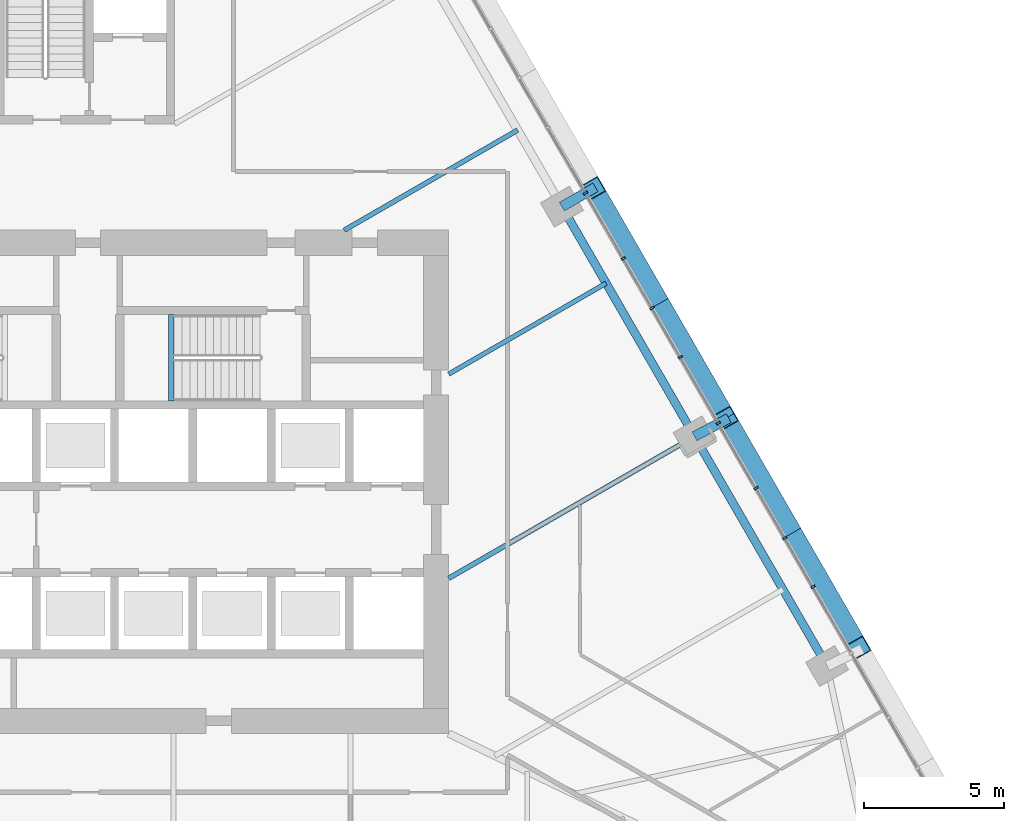
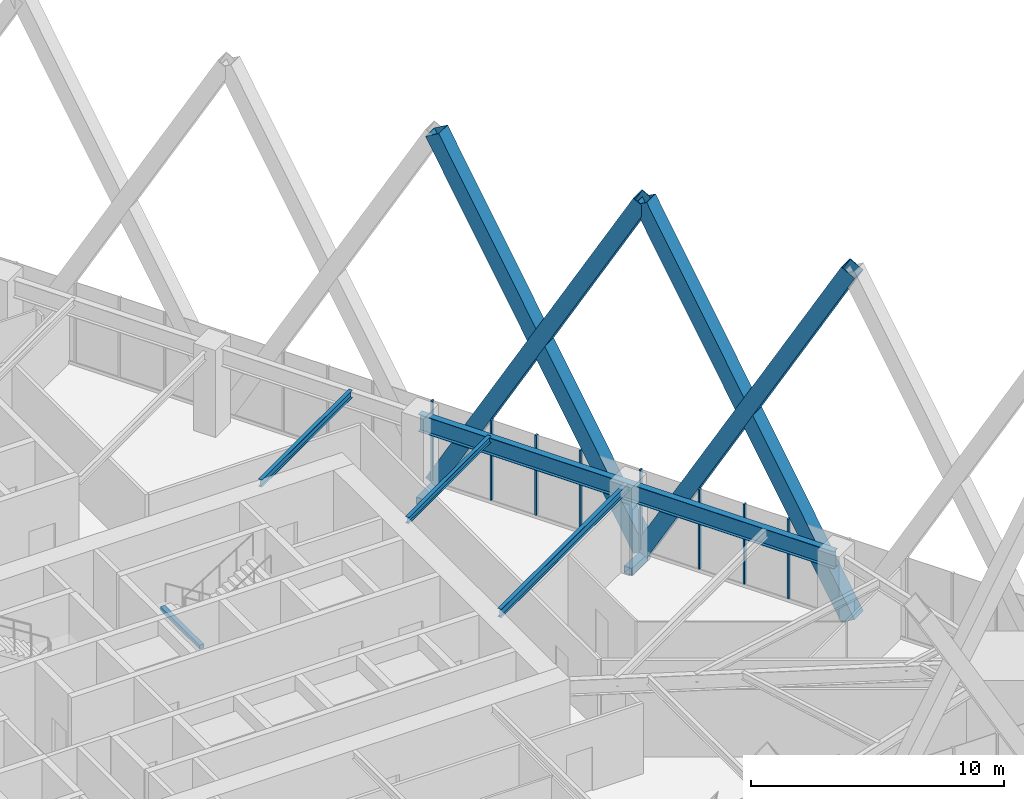
# One storey, part 8 of 21: 14 members, 5 beams, 1 element without a shape of its own.
"""IFC4 building model written with IfcOpenShell, lengths in metres."""

import ifcopenshell
import ifcopenshell.guid

model = None  # the IFC model being written
_history = None  # IfcOwnerHistory: only IFC2X3 demands one
_inside = {}  # id of a spatial element -> (the spatial element, [elements in it])
_under = {}  # id of a project, library or spatial element -> (it, [spatial elements below it])
_declared = {}  # id of a project -> (the project, [libraries it declares])
_typed = {}  # id of a type object -> (the type object, [elements of that type])
_made_of = {}  # id of a material, layer set ... -> (it, [elements and type objects made of it])


def new_model(schema):
    """Start an empty IFC model of exactly this schema.

    Asked for "IFC4X3", IfcOpenShell would pick the latest addendum, in which some entities
    have other attributes; the version numbers below select the first issue.
    IFC2X3 requires an IfcOwnerHistory on every rooted entity: one is made here for all.
    """
    global model, _history
    if schema == "IFC4X3":
        model = ifcopenshell.file(schema_version=(4, 3, 0, 0))
    else:
        model = ifcopenshell.file(schema=schema)
    _inside.clear()
    _under.clear()
    _declared.clear()
    _typed.clear()
    _made_of.clear()
    _history = None
    if model.schema == "IFC2X3":
        org = make("IfcOrganization", Name="unknown")
        user = make(
            "IfcPersonAndOrganization",
            ThePerson=make("IfcPerson", FamilyName="unknown"),
            TheOrganization=org,
        )
        app = make(
            "IfcApplication",
            ApplicationDeveloper=org,
            Version="unknown",
            ApplicationFullName="unknown",
            ApplicationIdentifier="unknown",
        )
        _history = make(
            "IfcOwnerHistory",
            OwningUser=user,
            OwningApplication=app,
            ChangeAction="ADDED",
            CreationDate=0,
        )
    return model


def make(cls, **values):
    """One entity of the class cls with the attributes given. An attribute that is None is left unset."""
    return model.create_entity(
        cls, **{name: value for name, value in values.items() if value is not None}
    )


def rooted(cls, **values):
    """An entity with a GlobalId (a new one), such as an element, a storey or a relation."""
    return make(cls, GlobalId=ifcopenshell.guid.new(), OwnerHistory=_history, **values)


def si_unit(unit_type, name, prefix=None):
    """IfcSIUnit, for example si_unit("LENGTHUNIT", "METRE", prefix="MILLI")."""
    return make("IfcSIUnit", UnitType=unit_type, Prefix=prefix, Name=name)


def assignment(units):
    """IfcUnitAssignment: the units of a project."""
    return None if units is None else make("IfcUnitAssignment", Units=units)


def point(xyz):
    """IfcCartesianPoint."""
    return None if xyz is None else make("IfcCartesianPoint", Coordinates=xyz)


def direction(xyz):
    """IfcDirection."""
    return None if xyz is None else make("IfcDirection", DirectionRatios=xyz)


def frame(location, z_axis=None, x_axis=None):
    """IfcAxis2Placement3D, a coordinate frame: its origin and axes. An axis left out is left unset."""
    return make(
        "IfcAxis2Placement3D",
        Location=point(location),
        Axis=direction(z_axis),
        RefDirection=direction(x_axis),
    )


def frame_2d(location, x_axis=None):
    """IfcAxis2Placement2D, a coordinate frame in the plane: its origin and x axis."""
    return make(
        "IfcAxis2Placement2D", Location=point(location), RefDirection=direction(x_axis)
    )


def origin():
    """The frame at (0, 0, 0) with its axes left unset."""
    return frame((0.0, 0.0, 0.0))


def origin_2d():
    """The frame at (0, 0) in the plane with its x axis left unset."""
    return frame_2d((0.0, 0.0))


def place(relative_to, where):
    """IfcLocalPlacement: puts the frame where relative to a parent placement (None: the world)."""
    return make(
        "IfcLocalPlacement", PlacementRelTo=relative_to, RelativePlacement=where
    )


def context(
    kind, dimensions, precision=None, world=None, true_north=None, identifier=None
):
    """IfcGeometricRepresentationContext, for example the 3D "Model" context."""
    return make(
        "IfcGeometricRepresentationContext",
        ContextIdentifier=identifier,
        ContextType=kind,
        CoordinateSpaceDimension=dimensions,
        Precision=precision,
        WorldCoordinateSystem=world,
        TrueNorth=true_north,
    )


def subcontext(parent, identifier, kind, view, scale=None):
    """IfcGeometricRepresentationSubContext, for example "Body" below "Model"."""
    return make(
        "IfcGeometricRepresentationSubContext",
        ContextIdentifier=identifier,
        ContextType=kind,
        ParentContext=parent,
        TargetScale=scale,
        TargetView=view,
    )


def project(units=None, contexts=None):
    """IfcProject with its units and contexts."""
    return rooted(
        "IfcProject",
        Name="project",
        RepresentationContexts=contexts,
        UnitsInContext=assignment(units),
    )


def spatial(cls, under=None, at=None, **own):
    """A site, building, storey or space (cls), placed at a placement, below another one or the project."""
    s = rooted(cls, ObjectPlacement=at, **own)
    if under is not None:
        _under.setdefault(under.id(), (under, []))[1].append(s)
    return s


def profile(cls, at=None, kind="AREA", **sizes):
    """A parametric profile (cls). Its sizes go by their IFC names, for example OverallWidth=200.0."""
    return make(cls, ProfileType=kind, Position=at, **sizes)


def rectangle(**sizes):
    """IfcRectangleProfileDef."""
    return profile("IfcRectangleProfileDef", **sizes)


def hollow_rectangle(**sizes):
    """IfcRectangleHollowProfileDef."""
    return profile("IfcRectangleHollowProfileDef", **sizes)


def i_section(**sizes):
    """IfcIShapeProfileDef."""
    return profile("IfcIShapeProfileDef", **sizes)


def extrude(swept, where, along, depth):
    """IfcExtrudedAreaSolid: the profile swept, set in the frame where, extruded along a direction by depth."""
    return make(
        "IfcExtrudedAreaSolid",
        SweptArea=swept,
        Position=where,
        ExtrudedDirection=direction(along),
        Depth=depth,
    )


def shape(context_of_items, identifier, shape_type, items):
    """IfcShapeRepresentation: the items that make up one representation, for example the "Body"."""
    return make(
        "IfcShapeRepresentation",
        ContextOfItems=context_of_items,
        RepresentationIdentifier=identifier,
        RepresentationType=shape_type,
        Items=items,
    )


def material(Name=None, Category=None):
    """IfcMaterial."""
    return make("IfcMaterial", Name=Name, Category=Category)


def layer(
    of_material, thickness, ventilated=None, Name=None, Category=None, Priority=None
):
    """IfcMaterialLayer: one layer of a wall or slab, of a material (None: an air gap)."""
    return make(
        "IfcMaterialLayer",
        Material=of_material,
        LayerThickness=thickness,
        IsVentilated=ventilated,
        Name=Name,
        Category=Category,
        Priority=Priority,
    )


def layer_set(layers, Name=None):
    """IfcMaterialLayerSet."""
    return make("IfcMaterialLayerSet", MaterialLayers=layers, LayerSetName=Name)


def material_profile(
    of_material, cross_section, Name=None, Category=None, Priority=None
):
    """IfcMaterialProfile: a cross section and its material."""
    return make(
        "IfcMaterialProfile",
        Name=Name,
        Material=of_material,
        Profile=cross_section,
        Priority=Priority,
        Category=Category,
    )


def profile_set(profiles, Name=None, composite=None):
    """IfcMaterialProfileSet."""
    return make(
        "IfcMaterialProfileSet",
        Name=Name,
        MaterialProfiles=profiles,
        CompositeProfile=composite,
    )


def made_of(thing, what):
    """Note that an element or type object is made of a material, layer set ...; save() writes the relation."""
    if what is not None:
        _made_of.setdefault(what.id(), (what, []))[1].append(thing)
    return thing


def type_object(cls, material=None, **own):
    """A type object (cls), such as IfcWallType, which elements share."""
    return made_of(rooted(cls, **own), material)


def element(
    cls,
    number,
    at=None,
    inside=None,
    cuts=None,
    type_object=None,
    material=None,
    context=None,
    identifier="Body",
    shape_type=None,
    held_by="IfcProductDefinitionShape",
    body=None,
    shapes=None,
    **own,
):
    """One element of the class cls, such as IfcWall. Its Tag is "e" and its number.

    at: its placement. inside: the storey or other place that contains it. cuts: it is an
    opening in that element (IfcRelVoidsElement). A single representation is given by context,
    identifier, shape_type and body (its items); several are given by shapes. held_by: the class
    of the entity that holds the representations. save() writes the other relations.
    """
    e = rooted(cls, Tag="e%d" % number, ObjectPlacement=at, **own)
    if body is not None:
        shapes = [shape(context, identifier, shape_type, body)]
    if shapes is not None:
        e.Representation = make(held_by, Representations=shapes)
    if inside is not None:
        _inside.setdefault(inside.id(), (inside, []))[1].append(e)
    if cuts is not None:
        rooted(
            "IfcRelVoidsElement", RelatingBuildingElement=cuts, RelatedOpeningElement=e
        )
    if type_object is not None:
        _typed.setdefault(type_object.id(), (type_object, []))[1].append(e)
    return made_of(e, material)


def aggregate(whole, parts):
    """IfcRelAggregates: a whole, such as a stair, and the parts it consists of."""
    return rooted("IfcRelAggregates", RelatingObject=whole, RelatedObjects=parts)


def save(model, path):
    """Write the relations noted so far, then the file.

    IfcRelAggregates (storeys below a building ...), IfcRelContainedInSpatialStructure (elements
    in a storey), IfcRelDefinesByType, IfcRelAssociatesMaterial and IfcRelDeclares: one each for
    every whole, place, type object, material and project.
    """
    for whole, parts in _under.values():
        aggregate(whole, parts)
    for where, things in _inside.values():
        rooted(
            "IfcRelContainedInSpatialStructure",
            RelatedElements=things,
            RelatingStructure=where,
        )
    for kind, things in _typed.values():
        rooted("IfcRelDefinesByType", RelatedObjects=things, RelatingType=kind)
    for what, things in _made_of.values():
        rooted("IfcRelAssociatesMaterial", RelatedObjects=things, RelatingMaterial=what)
    for by, libraries in _declared.values():
        rooted("IfcRelDeclares", RelatingContext=by, RelatedDefinitions=libraries)
    model.write(path)


model = new_model("IFC4")

# Units and contexts
model_context = context("Model", 3, precision=1e-05, world=origin(), true_north=direction((0.0, 1.0)))
body_context = subcontext(model_context, "Body", "Model", "MODEL_VIEW")
ifc_project = project(units=[si_unit("LENGTHUNIT", "METRE"), si_unit("AREAUNIT", "SQUARE_METRE"), si_unit("VOLUMEUNIT", "CUBIC_METRE"), si_unit("PLANEANGLEUNIT", "RADIAN"), si_unit("MASSUNIT", "GRAM", prefix="KILO")], contexts=[model_context])

# Site, building, storey
site_placement = place(None, origin())
site = spatial("IfcSite", under=ifc_project, at=site_placement, CompositionType="ELEMENT")
building_placement = place(site_placement, origin())
building = spatial("IfcBuilding", under=site, at=building_placement, Name="Firuza Gate Tower and Library", CompositionType="ELEMENT")
storey_placement = place(building_placement, frame((0.0, 0.0, 73.60009765625)))
storey = spatial("IfcBuildingStorey", under=building, at=storey_placement, Name="L16", CompositionType="ELEMENT", Elevation=73.60009765625)

# Members
ifc_material_1 = material(Name="Steel S355", Category="steel")
ifc_material_profile_1 = material_profile(ifc_material_1, hollow_rectangle(XDim=0.699951171875, YDim=0.699951171875, WallThickness=0.030029296875, at=origin_2d()))
ifc_profile_set_1 = profile_set([ifc_material_profile_1], Name="Steel S355")
member_type_1 = type_object("IfcMemberType", Name="BU700x700x30 Lattice brace", PredefinedType="BRACE", material=ifc_profile_set_1)
for number, where, z_axis, x_axis, name in (
    (1, (102.65966796875, 69.06396484375, 0.0), (-0.245828209421, 0.425789239287, 0.870788157453), (-0.866026568532, -0.499997982593, 0.0), "Lattice brace E 3.2R"),
    (2, (97.9169921875, 77.278564453125, 0.0), (0.245828209421, -0.425789239287, 0.870788157453), (0.866026568532, 0.499997982593, 0.0), "Lattice brace E 3.2L"),
):
    element("IfcMember", number, at=place(storey_placement, frame(where, z_axis=z_axis, x_axis=x_axis)), inside=storey, type_object=member_type_1, Name=name, PredefinedType="BRACE", context=body_context, shape_type="SweptSolid", body=[
        extrude(hollow_rectangle(XDim=0.699951171875, YDim=0.699951171875, WallThickness=0.030029296875, at=origin_2d()), origin(), (0.0, 0.0, 1.0), 19.292724609375),
    ])
for number, where, z_axis, x_axis, name in (
    (3, (97.9169921875, 77.278564453125, 0.0), (-0.245829533982, 0.42577887884, 0.870792849394), (-0.866020133719, -0.500009127909, 0.0), "Lattice brace E 3.3R"),
    (4, (93.17431640625, 85.492919921875, 0.0), (0.245829533982, -0.42577887884, 0.870792849394), (0.866020133719, 0.500009127909, 0.0), "Lattice brace E 3.3L"),
):
    element("IfcMember", number, at=place(storey_placement, frame(where, z_axis=z_axis, x_axis=x_axis)), inside=storey, type_object=member_type_1, Name=name, PredefinedType="BRACE", context=body_context, shape_type="SweptSolid", body=[
        extrude(hollow_rectangle(XDim=0.699951171875, YDim=0.699951171875, WallThickness=0.030029296875, at=origin_2d()), origin(), (0.0, 0.0, 1.0), 19.29248046875),
    ])

# Curtain wall, members
ifc_material_2 = material(Name="Aluminium 6063-T6", Category="aluminium")
ifc_layer = layer(ifc_material_2, 0.14990234375)
ifc_layer_set = layer_set([ifc_layer], Name="Unitised curtain wall, offices")
curtain_wall_type = type_object("IfcCurtainWallType", Name="Unitised curtain wall, offices", PredefinedType="NOTDEFINED", material=ifc_layer_set)
curtain_wall_placement = place(storey_placement, origin())
curtain_wall = element("IfcCurtainWall", 5, at=curtain_wall_placement, inside=storey, type_object=curtain_wall_type, Name="CW1 L16 E face", PredefinedType="NOTDEFINED")
ifc_material_3 = material(Name="Aluminium 6063-T6", Category="aluminium")
ifc_material_profile_2 = material_profile(ifc_material_3, rectangle(XDim=0.14990234375, YDim=0.080078125, at=origin_2d()))
ifc_profile_set_2 = profile_set([ifc_material_profile_2], Name="Aluminium 6063-T6")
member_type_2 = type_object("IfcMemberType", Name="Curtain wall mullion 80x150", PredefinedType="MULLION", material=ifc_profile_set_2)
member_1_placement = place(storey_placement, frame((100.017822265625, 72.989990234375, 0.14990234375), z_axis=(0.0, 0.0, 1.0), x_axis=(-0.866025403784, -0.5, 0.0)))
member_1 = element("IfcMember", 6, at=member_1_placement, type_object=member_type_2, Name="Mullion", PredefinedType="MULLION", context=body_context, shape_type="SweptSolid", body=[
    extrude(rectangle(XDim=0.14990234375, YDim=0.080078125, at=origin_2d()), origin(), (0.0, 0.0, 1.0), 3.85009765625),
])
member_2_placement = place(storey_placement, frame((97.642822265625, 77.103515625, 0.14990234375), z_axis=(0.0, 0.0, 1.0), x_axis=(-0.866025403784, -0.5, 0.0)))
member_2 = element("IfcMember", 7, at=member_2_placement, type_object=member_type_2, Name="Mullion", PredefinedType="MULLION", context=body_context, shape_type="SweptSolid", body=[
    extrude(rectangle(XDim=0.14990234375, YDim=0.080078125, at=origin_2d()), origin(), (0.0, 0.0, 1.0), 3.85009765625),
])
member_3_placement = place(storey_placement, frame((95.267822265625, 81.217041015625, 0.14990234375), z_axis=(0.0, 0.0, 1.0), x_axis=(-0.866025403784, -0.5, 0.0)))
member_3 = element("IfcMember", 8, at=member_3_placement, type_object=member_type_2, Name="Mullion", PredefinedType="MULLION", context=body_context, shape_type="SweptSolid", body=[
    extrude(rectangle(XDim=0.14990234375, YDim=0.080078125, at=origin_2d()), origin(), (0.0, 0.0, 1.0), 3.85009765625),
])
member_4_placement = place(storey_placement, frame((92.892822265625, 85.33056640625, 0.14990234375), z_axis=(0.0, 0.0, 1.0), x_axis=(-0.866025403784, -0.5, 0.0)))
member_4 = element("IfcMember", 9, at=member_4_placement, type_object=member_type_2, Name="Mullion", PredefinedType="MULLION", context=body_context, shape_type="SweptSolid", body=[
    extrude(rectangle(XDim=0.14990234375, YDim=0.080078125, at=origin_2d()), origin(), (0.0, 0.0, 1.0), 3.85009765625),
])
member_5_placement = place(storey_placement, frame((101.025634765625, 71.244384765625, 0.14990234375), z_axis=(0.0, 0.0, 1.0), x_axis=(-0.866025403784, -0.5, 0.0)))
member_5 = element("IfcMember", 10, at=member_5_placement, type_object=member_type_2, Name="Mullion", PredefinedType="MULLION", context=body_context, shape_type="SweptSolid", body=[
    extrude(rectangle(XDim=0.14990234375, YDim=0.080078125, at=origin_2d()), origin(), (0.0, 0.0, 1.0), 3.85009765625),
])
member_6_placement = place(storey_placement, frame((98.98828125, 74.77294921875, 0.14990234375), z_axis=(0.0, 0.0, 1.0), x_axis=(-0.866025403784, -0.5, 0.0)))
member_6 = element("IfcMember", 11, at=member_6_placement, type_object=member_type_2, Name="Mullion", PredefinedType="MULLION", context=body_context, shape_type="SweptSolid", body=[
    extrude(rectangle(XDim=0.14990234375, YDim=0.080078125, at=origin_2d()), origin(), (0.0, 0.0, 1.0), 3.85009765625),
])
member_7_placement = place(storey_placement, frame((96.282958984375, 79.458740234375, 0.14990234375), z_axis=(0.0, 0.0, 1.0), x_axis=(-0.866025403784, -0.5, 0.0)))
member_7 = element("IfcMember", 12, at=member_7_placement, type_object=member_type_2, Name="Mullion", PredefinedType="MULLION", context=body_context, shape_type="SweptSolid", body=[
    extrude(rectangle(XDim=0.14990234375, YDim=0.080078125, at=origin_2d()), origin(), (0.0, 0.0, 1.0), 3.85009765625),
])
member_8_placement = place(storey_placement, frame((94.24560546875, 82.987548828125, 0.14990234375), z_axis=(0.0, 0.0, 1.0), x_axis=(-0.866025403784, -0.5, 0.0)))
member_8 = element("IfcMember", 13, at=member_8_placement, type_object=member_type_2, Name="Mullion", PredefinedType="MULLION", context=body_context, shape_type="SweptSolid", body=[
    extrude(rectangle(XDim=0.14990234375, YDim=0.080078125, at=origin_2d()), origin(), (0.0, 0.0, 1.0), 3.85009765625),
])
aggregate(curtain_wall, [member_1, member_2, member_3, member_4, member_5, member_6, member_7, member_8])

# Members
ifc_material_4 = material(Name="Steel S355", Category="steel")
ifc_material_profile_3 = material_profile(ifc_material_4, hollow_rectangle(XDim=0.355712890625, YDim=0.355712890625, WallThickness=0.014892578125, at=origin_2d()))
ifc_profile_set_3 = profile_set([ifc_material_profile_3], Name="Steel S355")
member_type_3 = type_object("IfcMemberType", Name="HSS356x356x16 Lattice node tie", PredefinedType="BRACE", material=ifc_profile_set_3)
member_9_placement = place(storey_placement, frame((92.048583984375, 84.843017578125, -0.320068359375), z_axis=(0.86598890845, 0.500063206447, 0.0), x_axis=(-0.500063206447, 0.86598890845, 0.0)))
element("IfcMember", 14, at=member_9_placement, inside=storey, type_object=member_type_3, Name="Lattice node tie E L16 46", PredefinedType="BRACE", context=body_context, shape_type="SweptSolid", body=[
    extrude(hollow_rectangle(XDim=0.355712890625, YDim=0.355712890625, WallThickness=0.014892578125, at=origin_2d()), origin(), (0.0, 0.0, 1.0), 1.385009765625),
])
member_10_placement = place(storey_placement, frame((96.791259765625, 76.62841796875, -0.320068359375), z_axis=(0.883165886802, 0.469060781124, 0.0), x_axis=(-0.469060781124, 0.883165886802, 0.0)))
element("IfcMember", 15, at=member_10_placement, inside=storey, type_object=member_type_3, Name="Lattice node tie E L16 47", PredefinedType="BRACE", context=body_context, shape_type="SweptSolid", body=[
    extrude(hollow_rectangle(XDim=0.355712890625, YDim=0.355712890625, WallThickness=0.014892578125, at=origin_2d()), origin(), (0.0, 0.0, 1.0), 1.385986328125),
])

# Beams
ifc_material_5 = material(Name="Concrete C35/45", Category="concrete")
ifc_material_profile_4 = material_profile(ifc_material_5, rectangle(XDim=0.199951171875, YDim=0.199951171875, at=origin_2d()))
ifc_profile_set_4 = profile_set([ifc_material_profile_4], Name="Concrete C35/45")
beam_type_1 = type_object("IfcBeamType", Name="Stair landing bearer 200x200", PredefinedType="BEAM", material=ifc_profile_set_4)
beam_1_placement = place(storey_placement, frame((78.080078125, 80.97998046875, 1.7998046875), z_axis=(0.0, -1.0, 0.0), x_axis=(1.0, 0.0, 0.0)))
element("IfcBeam", 16, at=beam_1_placement, inside=storey, type_object=beam_type_1, Name="Landing bearer L16 stair 2", PredefinedType="BEAM", context=body_context, shape_type="SweptSolid", body=[
    extrude(rectangle(XDim=0.199951171875, YDim=0.199951171875, at=origin_2d()), origin(), (0.0, 0.0, 1.0), 3.080078125),
])
ifc_material_6 = material(Name="Steel S355", Category="steel")
ifc_material_profile_5 = material_profile(ifc_material_6, i_section(OverallWidth=0.1650390625, OverallDepth=0.31005859375, WebThickness=0.005859375, FlangeThickness=0.009765625, at=origin_2d()))
ifc_profile_set_5 = profile_set([ifc_material_profile_5], Name="Steel S355")
beam_type_2 = type_object("IfcBeamType", Name="W310x39 Floor beam", PredefinedType="JOIST", material=ifc_profile_set_5)
beam_2_placement = place(storey_placement, frame((93.62939453125, 82.104736328125, 3.844970703125), z_axis=(-0.866034226713, -0.499984717929, 0.0), x_axis=(0.499984717929, -0.866034226713, 0.0)))
element("IfcBeam", 17, at=beam_2_placement, inside=storey, type_object=beam_type_2, Name="Floor beam L16 s52", PredefinedType="JOIST", context=body_context, shape_type="SweptSolid", body=[
    extrude(i_section(OverallWidth=0.1650390625, OverallDepth=0.31005859375, WebThickness=0.005859375, FlangeThickness=0.009765625, at=origin_2d()), origin(), (0.0, 0.0, 1.0), 6.500244140625),
])
ifc_material_7 = material(Name="Steel S355", Category="steel")
ifc_material_profile_6 = material_profile(ifc_material_7, i_section(OverallWidth=0.1708984375, OverallDepth=0.35498046875, WebThickness=0.007080078125, FlangeThickness=0.01171875, at=origin_2d()))
ifc_profile_set_6 = profile_set([ifc_material_profile_6], Name="Steel S355")
beam_type_3 = type_object("IfcBeamType", Name="W360x51 Floor beam", PredefinedType="JOIST", material=ifc_profile_set_6)
beam_3_placement = place(storey_placement, frame((90.467529296875, 87.5810546875, 3.822509765625), z_axis=(-0.866027779288, -0.499995885484, 0.0), x_axis=(0.499995885484, -0.866027779288, 0.0)))
element("IfcBeam", 18, at=beam_3_placement, inside=storey, type_object=beam_type_3, Name="Floor beam L16 s53", PredefinedType="JOIST", context=body_context, shape_type="SweptSolid", body=[
    extrude(i_section(OverallWidth=0.1708984375, OverallDepth=0.35498046875, WebThickness=0.007080078125, FlangeThickness=0.01171875, at=origin_2d()), origin(), (0.0, 0.0, 1.0), 7.162109375),
])
ifc_material_8 = material(Name="Steel S355", Category="steel")
ifc_material_profile_7 = material_profile(ifc_material_8, i_section(OverallWidth=0.177978515625, OverallDepth=0.406982421875, WebThickness=0.0078125, FlangeThickness=0.0126953125, at=origin_2d()))
ifc_profile_set_7 = profile_set([ifc_material_profile_7], Name="Steel S355")
beam_type_4 = type_object("IfcBeamType", Name="W410x60 Floor beam", PredefinedType="JOIST", material=ifc_profile_set_7)
beam_4_placement = place(storey_placement, frame((96.791259765625, 76.62841796875, 3.79638671875), z_axis=(-0.866033795846, -0.499985464241, 0.0), x_axis=(0.499985464241, -0.866033795846, 0.0)))
element("IfcBeam", 19, at=beam_4_placement, inside=storey, type_object=beam_type_4, Name="Floor beam L16 s51", PredefinedType="JOIST", context=body_context, shape_type="SweptSolid", body=[
    extrude(i_section(OverallWidth=0.177978515625, OverallDepth=0.406982421875, WebThickness=0.0078125, FlangeThickness=0.0126953125, at=origin_2d()), origin(), (0.0, 0.0, 1.0), 10.151123046875),
])
ifc_material_9 = material(Name="Steel S355", Category="steel")
ifc_material_profile_8 = material_profile(ifc_material_9, i_section(OverallWidth=0.2919921875, OverallDepth=0.8349609375, WebThickness=0.013916015625, FlangeThickness=0.018798828125, at=origin_2d()))
ifc_profile_set_8 = profile_set([ifc_material_profile_8], Name="Steel S355")
beam_type_5 = type_object("IfcBeamType", Name="W840x176 Edge beam", PredefinedType="SPANDREL", material=ifc_profile_set_8)
beam_5_placement = place(storey_placement, frame((101.533935546875, 68.4140625, 3.58251953125), z_axis=(-0.500003555199, 0.866023351179, 0.0), x_axis=(-0.866023351179, -0.500003555199, 0.0)))
element("IfcBeam", 20, at=beam_5_placement, inside=storey, type_object=beam_type_5, Name="Edge beam L16 e50", PredefinedType="SPANDREL", context=body_context, shape_type="SweptSolid", body=[
    extrude(i_section(OverallWidth=0.2919921875, OverallDepth=0.8349609375, WebThickness=0.013916015625, FlangeThickness=0.018798828125, at=origin_2d()), origin(), (0.0, 0.0, 1.0), 18.970458984375),
])

save(model, "model.ifc")
